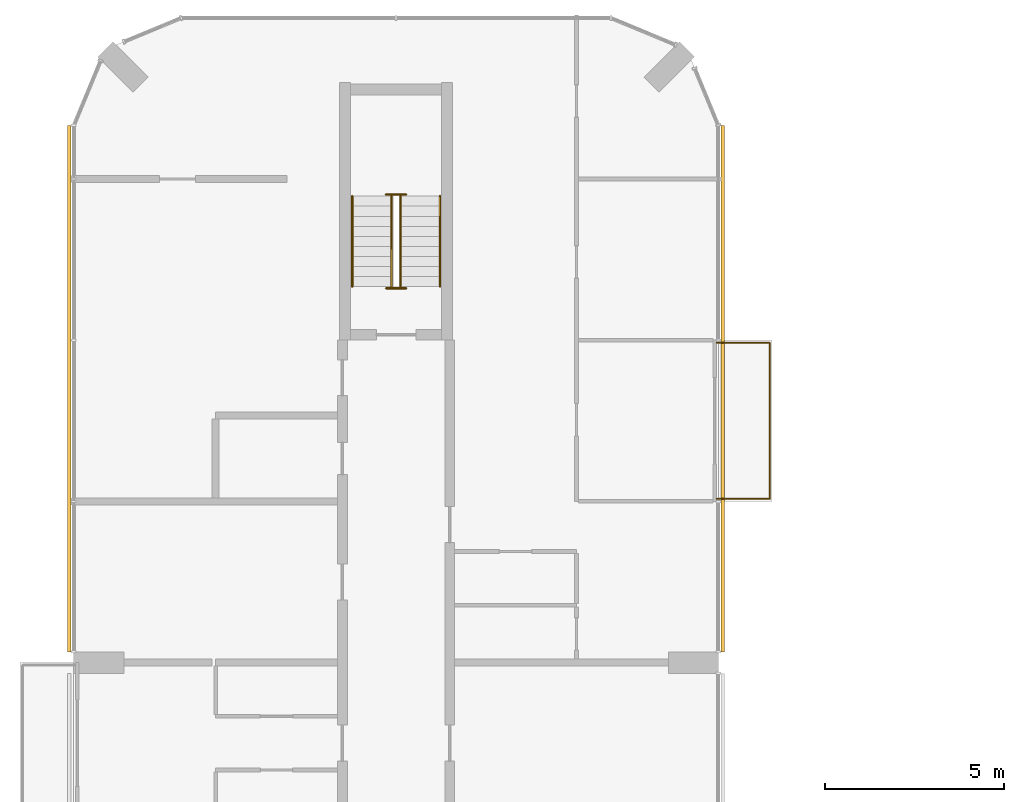
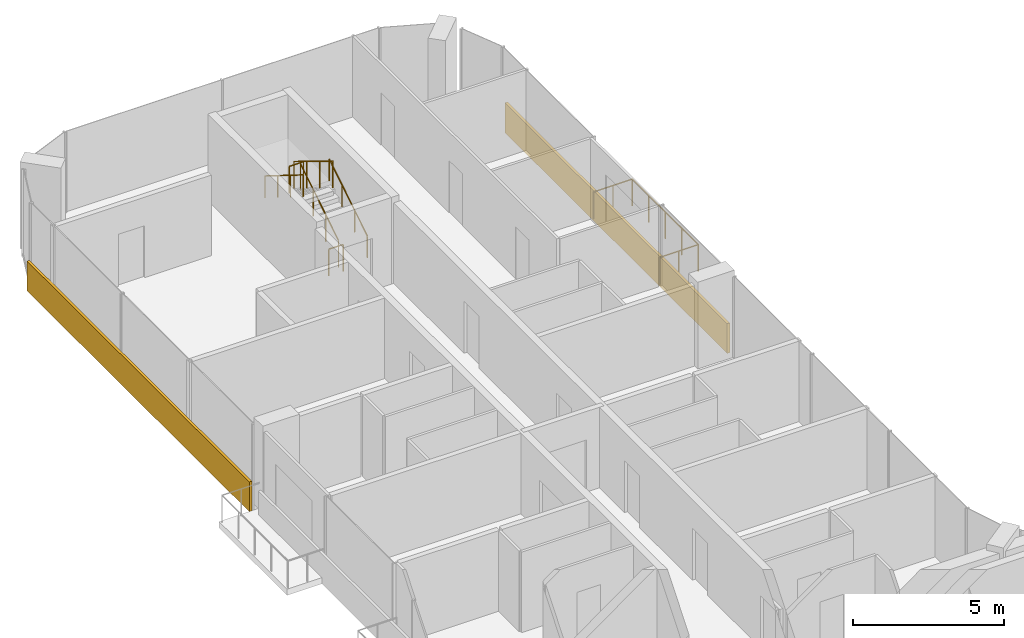
# One storey, part 16 of 16: 7 railings, 2 coverings.
"""IFC4 building model written with IfcOpenShell, lengths in metres."""

from ifc_helpers import new_model, si_unit, direction, frame, origin, origin_2d, place, context, subcontext, project, spatial, rectangle, circle, extrude, material, layer, layer_set, type_object, element, save


model = new_model("IFC4")

# Units and contexts
model_context = context("Model", 3, precision=1e-05, world=origin(), true_north=direction((0.0, 1.0)))
body_context = subcontext(model_context, "Body", "Model", "MODEL_VIEW")
ifc_project = project(units=[si_unit("LENGTHUNIT", "METRE"), si_unit("AREAUNIT", "SQUARE_METRE"), si_unit("VOLUMEUNIT", "CUBIC_METRE"), si_unit("PLANEANGLEUNIT", "RADIAN"), si_unit("MASSUNIT", "GRAM", prefix="KILO")], contexts=[model_context])

# Site, building, storey
site_placement = place(None, origin())
site = spatial("IfcSite", under=ifc_project, at=site_placement, CompositionType="ELEMENT")
building_placement = place(site_placement, origin())
building = spatial("IfcBuilding", under=site, at=building_placement, Name="Plateau Cross Towers", CompositionType="ELEMENT")
storey_placement = place(building_placement, frame((0.0, 0.0, 215.39990234375)))
storey = spatial("IfcBuildingStorey", under=building, at=storey_placement, Name="L56", CompositionType="ELEMENT", Elevation=215.39990234375)

# Railings
ifc_material_1 = material(Name="Stainless steel and toughened glass", Category="steel")
railing_type_1 = type_object("IfcRailingType", Name="Glass balustrade guard 1100", PredefinedType="GUARDRAIL", material=ifc_material_1)
railing_1_placement = place(storey_placement, frame((17.949951171875, 44.929931640625, 0.0)))
element("IfcRailing", 1, at=railing_1_placement, inside=storey, type_object=railing_type_1, Name="Guard guard1", PredefinedType="GUARDRAIL", context=body_context, shape_type="SweptSolid", body=[
    extrude(circle(Radius=0.02392578125, at=origin_2d()), frame((0.0, 0.0, 1.076171875), z_axis=(1.0, 0.0, 0.0), x_axis=(0.0, 1.0, 0.0)), (0.0, 0.0, 1.0), 1.47998046875),
    extrude(circle(Radius=0.02392578125, at=origin_2d()), frame((1.47998046875, 0.0, 1.076171875), z_axis=(0.0, -1.0, 0.0), x_axis=(1.0, 0.0, 0.0)), (0.0, 0.0, 1.0), 4.35986328125),
    extrude(circle(Radius=0.02392578125, at=origin_2d()), frame((1.47998046875, -4.35986328125, 1.076171875), z_axis=(-1.0, 0.0, 0.0), x_axis=(0.0, -1.0, 0.0)), (0.0, 0.0, 1.0), 1.47998046875),
    extrude(circle(Radius=0.02099609375, at=origin_2d()), origin(), (0.0, 0.0, 1.0), 1.052001953125),
    extrude(circle(Radius=0.02099609375, at=origin_2d()), frame((0.739990234375, 0.0, 0.0)), (0.0, 0.0, 1.0), 1.052001953125),
    extrude(circle(Radius=0.02099609375, at=origin_2d()), frame((1.47998046875, 0.0, 0.0)), (0.0, 0.0, 1.0), 1.052001953125),
    extrude(circle(Radius=0.02099609375, at=origin_2d()), frame((1.47998046875, -1.08984375, 0.0)), (0.0, 0.0, 1.0), 1.052001953125),
    extrude(circle(Radius=0.02099609375, at=origin_2d()), frame((1.47998046875, -2.179931640625, 0.0)), (0.0, 0.0, 1.0), 1.052001953125),
    extrude(circle(Radius=0.02099609375, at=origin_2d()), frame((1.47998046875, -3.27001953125, 0.0)), (0.0, 0.0, 1.0), 1.052001953125),
    extrude(circle(Radius=0.02099609375, at=origin_2d()), frame((1.47998046875, -4.35986328125, 0.0)), (0.0, 0.0, 1.0), 1.052001953125),
    extrude(circle(Radius=0.02099609375, at=origin_2d()), frame((0.739990234375, -4.35986328125, 0.0)), (0.0, 0.0, 1.0), 1.052001953125),
    extrude(circle(Radius=0.02099609375, at=origin_2d()), frame((0.0, -4.35986328125, 0.0)), (0.0, 0.0, 1.0), 1.052001953125),
])
railing_type_2 = type_object("IfcRailingType", Name="RL-GUARD-1100", PredefinedType="GUARDRAIL", material=ifc_material_1)
railing_2_placement = place(storey_placement, frame((9.125, 46.5, 0.175048828125)))
element("IfcRailing", 2, at=railing_2_placement, inside=storey, type_object=railing_type_2, Name="L56 ES-N stair guard 1", PredefinedType="GUARDRAIL", context=body_context, shape_type="SweptSolid", body=[
    extrude(circle(Radius=0.02392578125, at=origin_2d()), frame((0.0, 0.0, 1.076171875), z_axis=(0.0, 0.848007534815, 0.529984170421), x_axis=(-1.0, 0.0, 0.0)), (0.0, 0.0, 1.0), 2.9716796875),
    extrude(circle(Radius=0.02099609375, at=origin_2d()), origin(), (0.0, 0.0, 1.0), 1.052001953125),
    extrude(circle(Radius=0.02099609375, at=origin_2d()), frame((0.0, 0.840087890625, 0.52490234375)), (0.0, 0.0, 1.0), 1.052001953125),
    extrude(circle(Radius=0.02099609375, at=origin_2d()), frame((0.0, 1.679931640625, 1.050048828125)), (0.0, 0.0, 1.0), 1.052001953125),
    extrude(circle(Radius=0.02099609375, at=origin_2d()), frame((0.0, 2.52001953125, 1.574951171875)), (0.0, 0.0, 1.0), 1.052001953125),
])
railing_3_placement = place(storey_placement, frame((9.27490234375, 49.070068359375, 1.75)))
element("IfcRailing", 3, at=railing_3_placement, inside=storey, type_object=railing_type_2, Name="L56 ES-N stair guard 2", PredefinedType="GUARDRAIL", context=body_context, shape_type="SweptSolid", body=[
    extrude(circle(Radius=0.02392578125, at=origin_2d()), frame((0.0, 0.0, 1.076171875), z_axis=(-1.0, 0.0, 0.0), x_axis=(0.0, -1.0, 0.0)), (0.0, 0.0, 1.0), 0.5498046875),
    extrude(circle(Radius=0.02099609375, at=origin_2d()), origin(), (0.0, 0.0, 1.0), 1.052001953125),
    extrude(circle(Radius=0.02099609375, at=origin_2d()), frame((-0.5498046875, 0.0, 0.0)), (0.0, 0.0, 1.0), 1.052001953125),
])
railing_4_placement = place(storey_placement, frame((8.875, 49.02001953125, 1.925048828125)))
element("IfcRailing", 4, at=railing_4_placement, inside=storey, type_object=railing_type_2, Name="L56 ES-N stair guard 3", PredefinedType="GUARDRAIL", context=body_context, shape_type="SweptSolid", body=[
    extrude(circle(Radius=0.02392578125, at=origin_2d()), frame((0.0, 0.0, 1.076171875), z_axis=(0.0, -0.852638500773, 0.522501279423), x_axis=(1.0, 0.0, 0.0)), (0.0, 0.0, 1.0), 3.01416015625),
    extrude(circle(Radius=0.02099609375, at=origin_2d()), origin(), (0.0, 0.0, 1.0), 1.052001953125),
    extrude(circle(Radius=0.02099609375, at=origin_2d()), frame((0.0, -0.856689453125, 0.52490234375)), (0.0, 0.0, 1.0), 1.052001953125),
    extrude(circle(Radius=0.02099609375, at=origin_2d()), frame((0.0, -1.71337890625, 1.050048828125)), (0.0, 0.0, 1.0), 1.052001953125),
    extrude(circle(Radius=0.02099609375, at=origin_2d()), frame((0.0, -2.570068359375, 1.574951171875)), (0.0, 0.0, 1.0), 1.052001953125),
])
railing_5_placement = place(storey_placement, frame((9.27490234375, 46.449951171875, 0.0)))
element("IfcRailing", 5, at=railing_5_placement, inside=storey, type_object=railing_type_2, Name="L56 ES-N stair guard 4", PredefinedType="GUARDRAIL", context=body_context, shape_type="SweptSolid", body=[
    extrude(circle(Radius=0.02392578125, at=origin_2d()), frame((0.0, 0.0, 1.076171875), z_axis=(-1.0, 0.0, 0.0), x_axis=(0.0, -1.0, 0.0)), (0.0, 0.0, 1.0), 0.5498046875),
    extrude(circle(Radius=0.02099609375, at=origin_2d()), origin(), (0.0, 0.0, 1.0), 1.052001953125),
    extrude(circle(Radius=0.02099609375, at=origin_2d()), frame((-0.5498046875, 0.0, 0.0)), (0.0, 0.0, 1.0), 1.052001953125),
])
ifc_material_2 = material(Name="Black anodised aluminium", Category="aluminium")
railing_type_3 = type_object("IfcRailingType", Name="RL-HANDRAIL-900", PredefinedType="HANDRAIL", material=ifc_material_2)
railing_6_placement = place(storey_placement, frame((10.22509765625, 46.5, 0.175048828125)))
element("IfcRailing", 6, at=railing_6_placement, inside=storey, type_object=railing_type_3, Name="L56 ES-N stair handrail 1", PredefinedType="HANDRAIL", context=body_context, shape_type="SweptSolid", body=[
    extrude(circle(Radius=0.02392578125, at=origin_2d()), frame((0.0, 0.0, 0.8759765625), z_axis=(0.0, 0.848007534815, 0.529984170421), x_axis=(-1.0, 0.0, 0.0)), (0.0, 0.0, 1.0), 2.9716796875),
    extrude(circle(Radius=0.02099609375, at=origin_2d()), origin(), (0.0, 0.0, 1.0), 0.851806640625),
    extrude(circle(Radius=0.02099609375, at=origin_2d()), frame((0.0, 0.840087890625, 0.52490234375)), (0.0, 0.0, 1.0), 0.851806640625),
    extrude(circle(Radius=0.02099609375, at=origin_2d()), frame((0.0, 1.679931640625, 1.050048828125)), (0.0, 0.0, 1.0), 0.851806640625),
    extrude(circle(Radius=0.02099609375, at=origin_2d()), frame((0.0, 2.52001953125, 1.574951171875)), (0.0, 0.0, 1.0), 0.851806640625),
])
railing_7_placement = place(storey_placement, frame((7.77490234375, 49.02001953125, 1.925048828125)))
element("IfcRailing", 7, at=railing_7_placement, inside=storey, type_object=railing_type_3, Name="L56 ES-N stair handrail 2", PredefinedType="HANDRAIL", context=body_context, shape_type="SweptSolid", body=[
    extrude(circle(Radius=0.02392578125, at=origin_2d()), frame((0.0, 0.0, 0.8759765625), z_axis=(0.0, -0.848007534815, 0.529984170421), x_axis=(1.0, 0.0, 0.0)), (0.0, 0.0, 1.0), 2.9716796875),
    extrude(circle(Radius=0.02099609375, at=origin_2d()), origin(), (0.0, 0.0, 1.0), 0.851806640625),
    extrude(circle(Radius=0.02099609375, at=origin_2d()), frame((0.0, -0.840087890625, 0.52490234375)), (0.0, 0.0, 1.0), 0.851806640625),
    extrude(circle(Radius=0.02099609375, at=origin_2d()), frame((0.0, -1.679931640625, 1.050048828125)), (0.0, 0.0, 1.0), 0.851806640625),
    extrude(circle(Radius=0.02099609375, at=origin_2d()), frame((0.0, -2.52001953125, 1.574951171875)), (0.0, 0.0, 1.0), 0.851806640625),
])

# Coverings
ifc_material_3 = material(Name="Precast concrete cladding C40/50", Category="concrete")
ifc_layer = layer(ifc_material_3, 0.10009765625)
ifc_layer_set = layer_set([ifc_layer], Name="Precast concrete cladding C40/50")
covering_type = type_object("IfcCoveringType", Name="Spandrel band cladding 100x1200", PredefinedType="CLADDING", material=ifc_layer_set)
for number, where, z_axis, x_axis, name in (
    (8, (18.1201171875, 43.64990234375, -0.25), (0.0, 0.0, 1.0), (0.0, 1.0, 0.0), "Spandrel band"),
    (9, (-0.1201171875, 43.64990234375, -0.25), (0.0, 0.0, 1.0), (0.0, -1.0, 0.0), "Spandrel band"),
):
    element("IfcCovering", number, at=place(storey_placement, frame(where, z_axis=z_axis, x_axis=x_axis)), inside=storey, type_object=covering_type, Name=name, PredefinedType="CLADDING", context=body_context, shape_type="SweptSolid", body=[
        extrude(rectangle(XDim=14.699951171875, YDim=0.10009765625, at=origin_2d()), origin(), (0.0, 0.0, 1.0), 1.199951171875),
    ])

save(model, "model.ifc")
